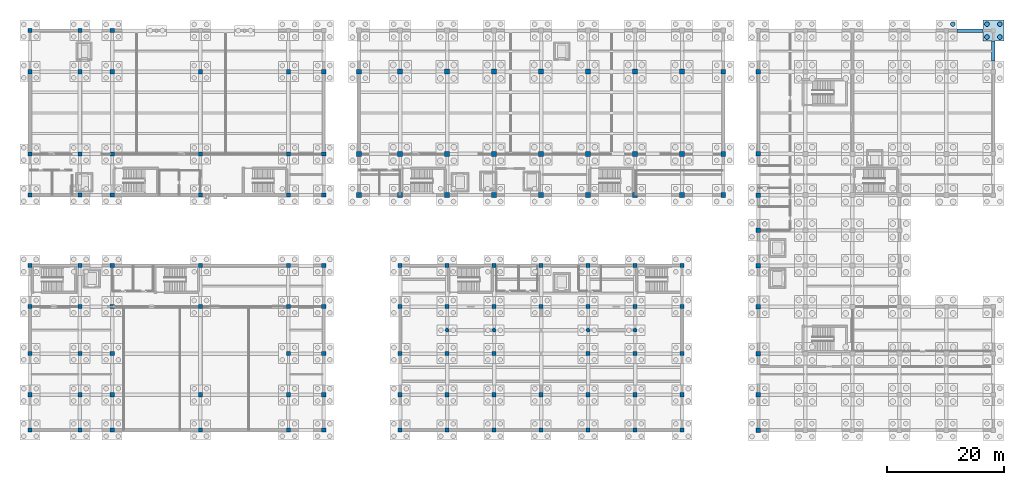
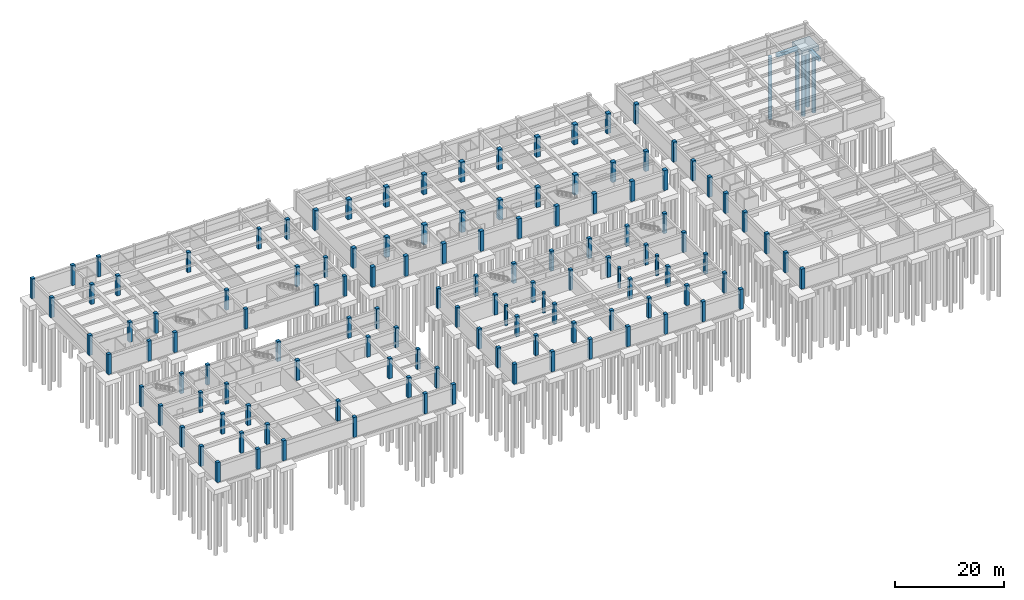
# One storey, part 8 of 28: 124 columns, 5 piles, 3 footings.
"""IFC4 building model written with IfcOpenShell, lengths in metres."""

from ifc_helpers import new_model, si_unit, direction, frame, origin, origin_2d, place, context, subcontext, project, spatial, rectangle, circle, extrude, material, material_profile, profile_set, type_object, element, save


model = new_model("IFC4")

# Units and contexts
model_context = context("Model", 3, precision=1e-05, world=origin(), true_north=direction((0.0, 1.0)))
body_context = subcontext(model_context, "Body", "Model", "MODEL_VIEW")
ifc_project = project(units=[si_unit("LENGTHUNIT", "METRE"), si_unit("AREAUNIT", "SQUARE_METRE"), si_unit("VOLUMEUNIT", "CUBIC_METRE"), si_unit("PLANEANGLEUNIT", "RADIAN"), si_unit("MASSUNIT", "GRAM", prefix="KILO")], contexts=[model_context])

# Site, building, storey
site_placement = place(None, origin())
site = spatial("IfcSite", under=ifc_project, at=site_placement, CompositionType="ELEMENT")
building_placement = place(site_placement, origin())
building = spatial("IfcBuilding", under=site, at=building_placement, Name="Naurynzar Civic Courthouse", CompositionType="ELEMENT")
storey_placement = place(building_placement, frame((0.0, 0.0, -4.5)))
storey = spatial("IfcBuildingStorey", under=building, at=storey_placement, Name="B01", CompositionType="ELEMENT", Elevation=-4.5)

# Footings
ifc_material_1 = material(Name="Concrete C35/45", Category="concrete")
footing_type_1 = type_object("IfcFootingType", Name="CAP-4C-3600", PredefinedType="PILE_CAP", material=ifc_material_1)
footing_1_placement = place(storey_placement, frame((170.0, 72.0, -1.5), z_axis=(0.0, 0.0, 1.0), x_axis=(1.0, 0.0, 0.0)))
element("IfcFooting", 1, at=footing_1_placement, inside=storey, type_object=footing_type_1, Name="V5 pile cap 56", PredefinedType="PILE_CAP", context=body_context, shape_type="SweptSolid", body=[
    extrude(rectangle(XDim=3.60009765625, YDim=3.60009765625, at=origin_2d()), origin(), (0.0, 0.0, 1.0), 1.050048828125),
])
ifc_material_2 = material(Name="Concrete C35/45", Category="concrete")
ifc_material_profile_1 = material_profile(ifc_material_2, rectangle(XDim=0.60009765625, YDim=0.800048828125, at=origin_2d()), Name="GB 600x800")
ifc_profile_set_1 = profile_set([ifc_material_profile_1], Name="Concrete C35/45")
footing_type_2 = type_object("IfcFootingType", Name="GB-600x800", PredefinedType="FOOTING_BEAM", material=ifc_profile_set_1)
footing_2_placement = place(storey_placement, frame((163.800048828125, 72.0, -0.85009765625), z_axis=(1.0, 0.0, 0.0), x_axis=(0.0, 1.0, 0.0)))
element("IfcFooting", 2, at=footing_2_placement, inside=storey, type_object=footing_type_2, Name="V5 ground tie beam X-46", PredefinedType="FOOTING_BEAM", context=body_context, shape_type="SweptSolid", body=[
    extrude(rectangle(XDim=0.60009765625, YDim=0.800048828125, at=origin_2d()), origin(), (0.0, 0.0, 1.0), 4.39990234375),
])
footing_3_placement = place(storey_placement, frame((170.0, 66.800048828125, -0.85009765625), z_axis=(0.0, 1.0, 0.0), x_axis=(-1.0, 0.0, 0.0)))
element("IfcFooting", 3, at=footing_3_placement, inside=storey, type_object=footing_type_2, Name="V5 ground tie beam Y-94", PredefinedType="FOOTING_BEAM", context=body_context, shape_type="SweptSolid", body=[
    extrude(rectangle(XDim=0.60009765625, YDim=0.800048828125, at=origin_2d()), origin(), (0.0, 0.0, 1.0), 3.39990234375),
])

# Piles
ifc_material_3 = material(Name="Concrete C35/45", Category="concrete")
ifc_material_profile_2 = material_profile(ifc_material_3, circle(Radius=0.39990234375, at=origin_2d()), Name="PILE D800")
ifc_profile_set_2 = profile_set([ifc_material_profile_2], Name="Concrete C35/45")
pile_type = type_object("IfcPileType", Name="PILE-BORED-D800", PredefinedType="BORED", material=ifc_profile_set_2)
for number, where, z_axis, x_axis, name in (
    (4, (163.10009765625, 73.10009765625, -1.5), (0.0, 0.0, -1.0), (1.0, 0.0, 0.0), "V5 bored pile 48.4"),
    (5, (168.89990234375, 70.89990234375, -1.5), (0.0, 0.0, -1.0), (1.0, 0.0, 0.0), "V5 bored pile 56.1"),
    (6, (171.10009765625, 70.89990234375, -1.5), (0.0, 0.0, -1.0), (1.0, 0.0, 0.0), "V5 bored pile 56.2"),
    (7, (168.89990234375, 73.10009765625, -1.5), (0.0, 0.0, -1.0), (1.0, 0.0, 0.0), "V5 bored pile 56.3"),
    (8, (171.10009765625, 73.10009765625, -1.5), (0.0, 0.0, -1.0), (1.0, 0.0, 0.0), "V5 bored pile 56.4"),
):
    element("IfcPile", number, at=place(storey_placement, frame(where, z_axis=z_axis, x_axis=x_axis)), inside=storey, type_object=pile_type, Name=name, PredefinedType="BORED", context=body_context, shape_type="SweptSolid", body=[
        extrude(circle(Radius=0.39990234375, at=origin_2d()), origin(), (0.0, 0.0, 1.0), 14.0),
    ])

# Columns
ifc_material_4 = material(Name="Concrete C40/50", Category="concrete")
ifc_material_profile_3 = material_profile(ifc_material_4, rectangle(XDim=0.699951171875, YDim=0.699951171875, at=origin_2d()), Name="RC 700x700")
ifc_profile_set_3 = profile_set([ifc_material_profile_3], Name="Concrete C40/50")
column_type_1 = type_object("IfcColumnType", Name="COL-RC-700", PredefinedType="COLUMN", material=ifc_profile_set_3)
for number, where, z_axis, x_axis, name in (
    (9, (6.0, 44.0, 0.0), (0.0, 0.0, 1.0), (1.0, 0.0, 0.0), "V1 column (6.0,44.0) B01"),
    (10, (6.0, 51.0, 0.0), (0.0, 0.0, 1.0), (1.0, 0.0, 0.0), "V1 column (6.0,51.0) B01"),
    (11, (6.0, 65.0, 0.0), (0.0, 0.0, 1.0), (1.0, 0.0, 0.0), "V1 column (6.0,65.0) B01"),
    (12, (6.0, 72.0, 0.0), (0.0, 0.0, 1.0), (1.0, 0.0, 0.0), "V1 column (6.0,72.0) B01"),
    (13, (14.5, 44.0, 0.0), (0.0, 0.0, 1.0), (1.0, 0.0, 0.0), "V1 column (14.5,44.0) B01"),
    (14, (14.5, 51.0, 0.0), (0.0, 0.0, 1.0), (1.0, 0.0, 0.0), "V1 column (14.5,51.0) B01"),
    (15, (14.5, 65.0, 0.0), (0.0, 0.0, 1.0), (1.0, 0.0, 0.0), "V1 column (14.5,65.0) B01"),
    (16, (14.5, 72.0, 0.0), (0.0, 0.0, 1.0), (1.0, 0.0, 0.0), "V1 column (14.5,72.0) B01"),
    (17, (20.0, 44.0, 0.0), (0.0, 0.0, 1.0), (1.0, 0.0, 0.0), "V1 column (20.0,44.0) B01"),
    (18, (20.0, 51.0, 0.0), (0.0, 0.0, 1.0), (1.0, 0.0, 0.0), "V1 column (20.0,51.0) B01"),
    (19, (20.0, 65.0, 0.0), (0.0, 0.0, 1.0), (1.0, 0.0, 0.0), "V1 column (20.0,65.0) B01"),
    (20, (20.0, 72.0, 0.0), (0.0, 0.0, 1.0), (1.0, 0.0, 0.0), "V1 column (20.0,72.0) B01"),
    (21, (35.0, 44.0, 0.0), (0.0, 0.0, 1.0), (1.0, 0.0, 0.0), "V1 column (35.0,44.0) B01"),
    (22, (35.0, 51.0, 0.0), (0.0, 0.0, 1.0), (1.0, 0.0, 0.0), "V1 column (35.0,51.0) B01"),
    (23, (35.0, 65.0, 0.0), (0.0, 0.0, 1.0), (1.0, 0.0, 0.0), "V1 column (35.0,65.0) B01"),
    (24, (50.0, 44.0, 0.0), (0.0, 0.0, 1.0), (1.0, 0.0, 0.0), "V1 column (50.0,44.0) B01"),
    (25, (50.0, 51.0, 0.0), (0.0, 0.0, 1.0), (1.0, 0.0, 0.0), "V1 column (50.0,51.0) B01"),
    (26, (50.0, 65.0, 0.0), (0.0, 0.0, 1.0), (1.0, 0.0, 0.0), "V1 column (50.0,65.0) B01"),
    (27, (56.0, 44.0, 0.0), (0.0, 0.0, 1.0), (1.0, 0.0, 0.0), "V1 column (56.0,44.0) B01"),
    (28, (56.0, 51.0, 0.0), (0.0, 0.0, 1.0), (1.0, 0.0, 0.0), "V1 column (56.0,51.0) B01"),
    (29, (56.0, 65.0, 0.0), (0.0, 0.0, 1.0), (1.0, 0.0, 0.0), "V1 column (56.0,65.0) B01"),
    (30, (69.0, 4.0, 0.0), (0.0, 0.0, 1.0), (1.0, 0.0, 0.0), "V3 column (69.0,4.0) B01"),
    (31, (69.0, 10.0, 0.0), (0.0, 0.0, 1.0), (1.0, 0.0, 0.0), "V3 column (69.0,10.0) B01"),
    (32, (69.0, 17.0, 0.0), (0.0, 0.0, 1.0), (1.0, 0.0, 0.0), "V3 column (69.0,17.0) B01"),
    (33, (69.0, 25.0, 0.0), (0.0, 0.0, 1.0), (1.0, 0.0, 0.0), "V3 column (69.0,25.0) B01"),
    (34, (69.0, 32.0, 0.0), (0.0, 0.0, 1.0), (1.0, 0.0, 0.0), "V3 column (69.0,32.0) B01"),
    (35, (77.0, 4.0, 0.0), (0.0, 0.0, 1.0), (1.0, 0.0, 0.0), "V3 column (77.0,4.0) B01"),
    (36, (77.0, 10.0, 0.0), (0.0, 0.0, 1.0), (1.0, 0.0, 0.0), "V3 column (77.0,10.0) B01"),
    (37, (77.0, 17.0, 0.0), (0.0, 0.0, 1.0), (1.0, 0.0, 0.0), "V3 column (77.0,17.0) B01"),
    (38, (77.0, 25.0, 0.0), (0.0, 0.0, 1.0), (1.0, 0.0, 0.0), "V3 column (77.0,25.0) B01"),
    (39, (77.0, 32.0, 0.0), (0.0, 0.0, 1.0), (1.0, 0.0, 0.0), "V3 column (77.0,32.0) B01"),
    (40, (85.0, 4.0, 0.0), (0.0, 0.0, 1.0), (1.0, 0.0, 0.0), "V3 column (85.0,4.0) B01"),
    (41, (85.0, 10.0, 0.0), (0.0, 0.0, 1.0), (1.0, 0.0, 0.0), "V3 column (85.0,10.0) B01"),
    (42, (85.0, 17.0, 0.0), (0.0, 0.0, 1.0), (1.0, 0.0, 0.0), "V3 column (85.0,17.0) B01"),
    (43, (85.0, 25.0, 0.0), (0.0, 0.0, 1.0), (1.0, 0.0, 0.0), "V3 column (85.0,25.0) B01"),
    (44, (85.0, 32.0, 0.0), (0.0, 0.0, 1.0), (1.0, 0.0, 0.0), "V3 column (85.0,32.0) B01"),
    (45, (93.0, 4.0, 0.0), (0.0, 0.0, 1.0), (1.0, 0.0, 0.0), "V3 column (93.0,4.0) B01"),
    (46, (93.0, 10.0, 0.0), (0.0, 0.0, 1.0), (1.0, 0.0, 0.0), "V3 column (93.0,10.0) B01"),
    (47, (93.0, 25.0, 0.0), (0.0, 0.0, 1.0), (1.0, 0.0, 0.0), "V3 column (93.0,25.0) B01"),
    (48, (93.0, 32.0, 0.0), (0.0, 0.0, 1.0), (1.0, 0.0, 0.0), "V3 column (93.0,32.0) B01"),
    (49, (101.0, 4.0, 0.0), (0.0, 0.0, 1.0), (1.0, 0.0, 0.0), "V3 column (101.0,4.0) B01"),
    (50, (101.0, 10.0, 0.0), (0.0, 0.0, 1.0), (1.0, 0.0, 0.0), "V3 column (101.0,10.0) B01"),
    (51, (101.0, 17.0, 0.0), (0.0, 0.0, 1.0), (1.0, 0.0, 0.0), "V3 column (101.0,17.0) B01"),
    (52, (101.0, 25.0, 0.0), (0.0, 0.0, 1.0), (1.0, 0.0, 0.0), "V3 column (101.0,25.0) B01"),
    (53, (101.0, 32.0, 0.0), (0.0, 0.0, 1.0), (1.0, 0.0, 0.0), "V3 column (101.0,32.0) B01"),
    (54, (109.0, 4.0, 0.0), (0.0, 0.0, 1.0), (1.0, 0.0, 0.0), "V3 column (109.0,4.0) B01"),
    (55, (109.0, 10.0, 0.0), (0.0, 0.0, 1.0), (1.0, 0.0, 0.0), "V3 column (109.0,10.0) B01"),
    (56, (109.0, 17.0, 0.0), (0.0, 0.0, 1.0), (1.0, 0.0, 0.0), "V3 column (109.0,17.0) B01"),
    (57, (109.0, 25.0, 0.0), (0.0, 0.0, 1.0), (1.0, 0.0, 0.0), "V3 column (109.0,25.0) B01"),
    (58, (109.0, 32.0, 0.0), (0.0, 0.0, 1.0), (1.0, 0.0, 0.0), "V3 column (109.0,32.0) B01"),
    (59, (117.0, 4.0, 0.0), (0.0, 0.0, 1.0), (1.0, 0.0, 0.0), "V3 column (117.0,4.0) B01"),
    (60, (117.0, 10.0, 0.0), (0.0, 0.0, 1.0), (1.0, 0.0, 0.0), "V3 column (117.0,10.0) B01"),
    (61, (117.0, 17.0, 0.0), (0.0, 0.0, 1.0), (1.0, 0.0, 0.0), "V3 column (117.0,17.0) B01"),
    (62, (117.0, 25.0, 0.0), (0.0, 0.0, 1.0), (1.0, 0.0, 0.0), "V3 column (117.0,25.0) B01"),
    (63, (117.0, 32.0, 0.0), (0.0, 0.0, 1.0), (1.0, 0.0, 0.0), "V3 column (117.0,32.0) B01"),
    (64, (6.0, 4.0, 0.0), (0.0, 0.0, 1.0), (1.0, 0.0, 0.0), "V4 column (6.0,4.0) B01"),
    (65, (6.0, 10.0, 0.0), (0.0, 0.0, 1.0), (1.0, 0.0, 0.0), "V4 column (6.0,10.0) B01"),
    (66, (6.0, 17.0, 0.0), (0.0, 0.0, 1.0), (1.0, 0.0, 0.0), "V4 column (6.0,17.0) B01"),
    (67, (6.0, 25.0, 0.0), (0.0, 0.0, 1.0), (1.0, 0.0, 0.0), "V4 column (6.0,25.0) B01"),
    (68, (6.0, 32.0, 0.0), (0.0, 0.0, 1.0), (1.0, 0.0, 0.0), "V4 column (6.0,32.0) B01"),
    (69, (14.5, 4.0, 0.0), (0.0, 0.0, 1.0), (1.0, 0.0, 0.0), "V4 column (14.5,4.0) B01"),
    (70, (14.5, 10.0, 0.0), (0.0, 0.0, 1.0), (1.0, 0.0, 0.0), "V4 column (14.5,10.0) B01"),
    (71, (14.5, 17.0, 0.0), (0.0, 0.0, 1.0), (1.0, 0.0, 0.0), "V4 column (14.5,17.0) B01"),
    (72, (14.5, 25.0, 0.0), (0.0, 0.0, 1.0), (1.0, 0.0, 0.0), "V4 column (14.5,25.0) B01"),
    (73, (14.5, 32.0, 0.0), (0.0, 0.0, 1.0), (1.0, 0.0, 0.0), "V4 column (14.5,32.0) B01"),
    (74, (20.0, 4.0, 0.0), (0.0, 0.0, 1.0), (1.0, 0.0, 0.0), "V4 column (20.0,4.0) B01"),
    (75, (20.0, 10.0, 0.0), (0.0, 0.0, 1.0), (1.0, 0.0, 0.0), "V4 column (20.0,10.0) B01"),
    (76, (20.0, 17.0, 0.0), (0.0, 0.0, 1.0), (1.0, 0.0, 0.0), "V4 column (20.0,17.0) B01"),
    (77, (20.0, 25.0, 0.0), (0.0, 0.0, 1.0), (1.0, 0.0, 0.0), "V4 column (20.0,25.0) B01"),
    (78, (20.0, 32.0, 0.0), (0.0, 0.0, 1.0), (1.0, 0.0, 0.0), "V4 column (20.0,32.0) B01"),
    (79, (35.0, 4.0, 0.0), (0.0, 0.0, 1.0), (1.0, 0.0, 0.0), "V4 column (35.0,4.0) B01"),
    (80, (35.0, 10.0, 0.0), (0.0, 0.0, 1.0), (1.0, 0.0, 0.0), "V4 column (35.0,10.0) B01"),
    (81, (35.0, 25.0, 0.0), (0.0, 0.0, 1.0), (1.0, 0.0, 0.0), "V4 column (35.0,25.0) B01"),
    (82, (35.0, 32.0, 0.0), (0.0, 0.0, 1.0), (1.0, 0.0, 0.0), "V4 column (35.0,32.0) B01"),
    (83, (50.0, 4.0, 0.0), (0.0, 0.0, 1.0), (1.0, 0.0, 0.0), "V4 column (50.0,4.0) B01"),
    (84, (50.0, 10.0, 0.0), (0.0, 0.0, 1.0), (1.0, 0.0, 0.0), "V4 column (50.0,10.0) B01"),
    (85, (50.0, 17.0, 0.0), (0.0, 0.0, 1.0), (1.0, 0.0, 0.0), "V4 column (50.0,17.0) B01"),
    (86, (50.0, 25.0, 0.0), (0.0, 0.0, 1.0), (1.0, 0.0, 0.0), "V4 column (50.0,25.0) B01"),
    (87, (50.0, 32.0, 0.0), (0.0, 0.0, 1.0), (1.0, 0.0, 0.0), "V4 column (50.0,32.0) B01"),
    (88, (56.0, 4.0, 0.0), (0.0, 0.0, 1.0), (1.0, 0.0, 0.0), "V4 column (56.0,4.0) B01"),
    (89, (56.0, 10.0, 0.0), (0.0, 0.0, 1.0), (1.0, 0.0, 0.0), "V4 column (56.0,10.0) B01"),
    (90, (56.0, 17.0, 0.0), (0.0, 0.0, 1.0), (1.0, 0.0, 0.0), "V4 column (56.0,17.0) B01"),
    (91, (56.0, 25.0, 0.0), (0.0, 0.0, 1.0), (1.0, 0.0, 0.0), "V4 column (56.0,25.0) B01"),
    (92, (56.0, 32.0, 0.0), (0.0, 0.0, 1.0), (1.0, 0.0, 0.0), "V4 column (56.0,32.0) B01"),
):
    element("IfcColumn", number, at=place(storey_placement, frame(where, z_axis=z_axis, x_axis=x_axis)), inside=storey, type_object=column_type_1, Name=name, PredefinedType="COLUMN", context=body_context, shape_type="SweptSolid", body=[
        extrude(rectangle(XDim=0.699951171875, YDim=0.699951171875, at=origin_2d()), origin(), (0.0, 0.0, 1.0), 4.5),
    ])
ifc_material_5 = material(Name="Concrete C40/50", Category="concrete")
ifc_material_profile_4 = material_profile(ifc_material_5, rectangle(XDim=0.75, YDim=0.75, at=origin_2d()), Name="RC 750x750")
ifc_profile_set_4 = profile_set([ifc_material_profile_4], Name="Concrete C40/50")
column_type_2 = type_object("IfcColumnType", Name="COL-RC-750", PredefinedType="COLUMN", material=ifc_profile_set_4)
for number, where, z_axis, x_axis, name in (
    (93, (130.0, 4.0, 0.0), (0.0, 0.0, 1.0), (1.0, 0.0, 0.0), "V5 column (130.0,4.0) B01"),
    (94, (130.0, 10.0, 0.0), (0.0, 0.0, 1.0), (1.0, 0.0, 0.0), "V5 column (130.0,10.0) B01"),
    (95, (130.0, 17.0, 0.0), (0.0, 0.0, 1.0), (1.0, 0.0, 0.0), "V5 column (130.0,17.0) B01"),
    (96, (130.0, 25.0, 0.0), (0.0, 0.0, 1.0), (1.0, 0.0, 0.0), "V5 column (130.0,25.0) B01"),
    (97, (130.0, 32.0, 0.0), (0.0, 0.0, 1.0), (1.0, 0.0, 0.0), "V5 column (130.0,32.0) B01"),
    (98, (130.0, 38.0, 0.0), (0.0, 0.0, 1.0), (1.0, 0.0, 0.0), "V5 column (130.0,38.0) B01"),
    (99, (130.0, 44.0, 0.0), (0.0, 0.0, 1.0), (1.0, 0.0, 0.0), "V5 column (130.0,44.0) B01"),
    (100, (130.0, 51.0, 0.0), (0.0, 0.0, 1.0), (1.0, 0.0, 0.0), "V5 column (130.0,51.0) B01"),
    (101, (130.0, 65.0, 0.0), (0.0, 0.0, 1.0), (1.0, 0.0, 0.0), "V5 column (130.0,65.0) B01"),
):
    element("IfcColumn", number, at=place(storey_placement, frame(where, z_axis=z_axis, x_axis=x_axis)), inside=storey, type_object=column_type_2, Name=name, PredefinedType="COLUMN", context=body_context, shape_type="SweptSolid", body=[
        extrude(rectangle(XDim=0.75, YDim=0.75, at=origin_2d()), origin(), (0.0, 0.0, 1.0), 4.5),
    ])
ifc_material_6 = material(Name="Concrete C40/50", Category="concrete")
ifc_material_profile_5 = material_profile(ifc_material_6, rectangle(XDim=0.800048828125, YDim=0.800048828125, at=origin_2d()), Name="RC 800x800")
ifc_profile_set_5 = profile_set([ifc_material_profile_5], Name="Concrete C40/50")
column_type_3 = type_object("IfcColumnType", Name="COL-RC-800", PredefinedType="COLUMN", material=ifc_profile_set_5)
for number, where, z_axis, x_axis, name in (
    (102, (62.0, 44.0, 0.0), (0.0, 0.0, 1.0), (1.0, 0.0, 0.0), "V2 column (62.0,44.0) B01"),
    (103, (62.0, 51.0, 0.0), (0.0, 0.0, 1.0), (1.0, 0.0, 0.0), "V2 column (62.0,51.0) B01"),
    (104, (62.0, 65.0, 0.0), (0.0, 0.0, 1.0), (1.0, 0.0, 0.0), "V2 column (62.0,65.0) B01"),
    (105, (69.0, 44.0, 0.0), (0.0, 0.0, 1.0), (1.0, 0.0, 0.0), "V2 column (69.0,44.0) B01"),
    (106, (77.0, 44.0, 0.0), (0.0, 0.0, 1.0), (1.0, 0.0, 0.0), "V2 column (77.0,44.0) B01"),
    (107, (85.0, 44.0, 0.0), (0.0, 0.0, 1.0), (1.0, 0.0, 0.0), "V2 column (85.0,44.0) B01"),
    (108, (93.0, 44.0, 0.0), (0.0, 0.0, 1.0), (1.0, 0.0, 0.0), "V2 column (93.0,44.0) B01"),
    (109, (101.0, 44.0, 0.0), (0.0, 0.0, 1.0), (1.0, 0.0, 0.0), "V2 column (101.0,44.0) B01"),
    (110, (109.0, 44.0, 0.0), (0.0, 0.0, 1.0), (1.0, 0.0, 0.0), "V2 column (109.0,44.0) B01"),
    (111, (117.0, 44.0, 0.0), (0.0, 0.0, 1.0), (1.0, 0.0, 0.0), "V2 column (117.0,44.0) B01"),
    (112, (124.0, 44.0, 0.0), (0.0, 0.0, 1.0), (1.0, 0.0, 0.0), "V2 column (124.0,44.0) B01"),
    (113, (124.0, 51.0, 0.0), (0.0, 0.0, 1.0), (1.0, 0.0, 0.0), "V2 column (124.0,51.0) B01"),
    (114, (124.0, 65.0, 0.0), (0.0, 0.0, 1.0), (1.0, 0.0, 0.0), "V2 column (124.0,65.0) B01"),
):
    element("IfcColumn", number, at=place(storey_placement, frame(where, z_axis=z_axis, x_axis=x_axis)), inside=storey, type_object=column_type_3, Name=name, PredefinedType="COLUMN", context=body_context, shape_type="SweptSolid", body=[
        extrude(rectangle(XDim=0.800048828125, YDim=0.800048828125, at=origin_2d()), origin(), (0.0, 0.0, 1.0), 4.5),
    ])
ifc_material_7 = material(Name="Concrete C40/50", Category="concrete")
ifc_material_profile_6 = material_profile(ifc_material_7, rectangle(XDim=0.85009765625, YDim=0.85009765625, at=origin_2d()), Name="RC 850x850")
ifc_profile_set_6 = profile_set([ifc_material_profile_6], Name="Concrete C40/50")
column_type_4 = type_object("IfcColumnType", Name="COL-RC-850x850", PredefinedType="COLUMN", material=ifc_profile_set_6)
for number, where, z_axis, x_axis, name in (
    (115, (69.0, 51.0, 0.0), (0.0, 0.0, 1.0), (1.0, 0.0, 0.0), "V2 column (69.0,51.0) B01"),
    (116, (69.0, 65.0, 0.0), (0.0, 0.0, 1.0), (1.0, 0.0, 0.0), "V2 column (69.0,65.0) B01"),
    (117, (77.0, 51.0, 0.0), (0.0, 0.0, 1.0), (1.0, 0.0, 0.0), "V2 column (77.0,51.0) B01"),
    (118, (77.0, 65.0, 0.0), (0.0, 0.0, 1.0), (1.0, 0.0, 0.0), "V2 column (77.0,65.0) B01"),
    (119, (85.0, 51.0, 0.0), (0.0, 0.0, 1.0), (1.0, 0.0, 0.0), "V2 column (85.0,51.0) B01"),
    (120, (85.0, 65.0, 0.0), (0.0, 0.0, 1.0), (1.0, 0.0, 0.0), "V2 column (85.0,65.0) B01"),
    (121, (93.0, 51.0, 0.0), (0.0, 0.0, 1.0), (1.0, 0.0, 0.0), "V2 column (93.0,51.0) B01"),
    (122, (93.0, 65.0, 0.0), (0.0, 0.0, 1.0), (1.0, 0.0, 0.0), "V2 column (93.0,65.0) B01"),
    (123, (101.0, 51.0, 0.0), (0.0, 0.0, 1.0), (1.0, 0.0, 0.0), "V2 column (101.0,51.0) B01"),
    (124, (101.0, 65.0, 0.0), (0.0, 0.0, 1.0), (1.0, 0.0, 0.0), "V2 column (101.0,65.0) B01"),
    (125, (109.0, 51.0, 0.0), (0.0, 0.0, 1.0), (1.0, 0.0, 0.0), "V2 column (109.0,51.0) B01"),
    (126, (109.0, 65.0, 0.0), (0.0, 0.0, 1.0), (1.0, 0.0, 0.0), "V2 column (109.0,65.0) B01"),
    (127, (117.0, 51.0, 0.0), (0.0, 0.0, 1.0), (1.0, 0.0, 0.0), "V2 column (117.0,51.0) B01"),
    (128, (117.0, 65.0, 0.0), (0.0, 0.0, 1.0), (1.0, 0.0, 0.0), "V2 column (117.0,65.0) B01"),
):
    element("IfcColumn", number, at=place(storey_placement, frame(where, z_axis=z_axis, x_axis=x_axis)), inside=storey, type_object=column_type_4, Name=name, PredefinedType="COLUMN", context=body_context, shape_type="SweptSolid", body=[
        extrude(rectangle(XDim=0.85009765625, YDim=0.85009765625, at=origin_2d()), origin(), (0.0, 0.0, 1.0), 4.5),
    ])
ifc_material_8 = material(Name="Concrete C40/50", Category="concrete")
ifc_material_profile_7 = material_profile(ifc_material_8, circle(Radius=0.35009765625, at=origin_2d()), Name="RC D700")
ifc_profile_set_7 = profile_set([ifc_material_profile_7], Name="Concrete C40/50")
column_type_5 = type_object("IfcColumnType", Name="COL-RC-D700", PredefinedType="COLUMN", material=ifc_profile_set_7)
for number, where, z_axis, x_axis, name in (
    (129, (77.0, 21.0, 0.0), (0.0, 0.0, 1.0), (1.0, 0.0, 0.0), "Law Library central spine column 77 B01"),
    (130, (85.0, 21.0, 0.0), (0.0, 0.0, 1.0), (1.0, 0.0, 0.0), "Law Library central spine column 85 B01"),
    (131, (101.0, 21.0, 0.0), (0.0, 0.0, 1.0), (1.0, 0.0, 0.0), "Law Library central spine column 101 B01"),
    (132, (109.0, 21.0, 0.0), (0.0, 0.0, 1.0), (1.0, 0.0, 0.0), "Law Library central spine column 109 B01"),
):
    element("IfcColumn", number, at=place(storey_placement, frame(where, z_axis=z_axis, x_axis=x_axis)), inside=storey, type_object=column_type_5, Name=name, PredefinedType="COLUMN", context=body_context, shape_type="SweptSolid", body=[
        extrude(circle(Radius=0.35009765625, at=origin_2d()), origin(), (0.0, 0.0, 1.0), 4.5),
    ])

save(model, "model.ifc")
